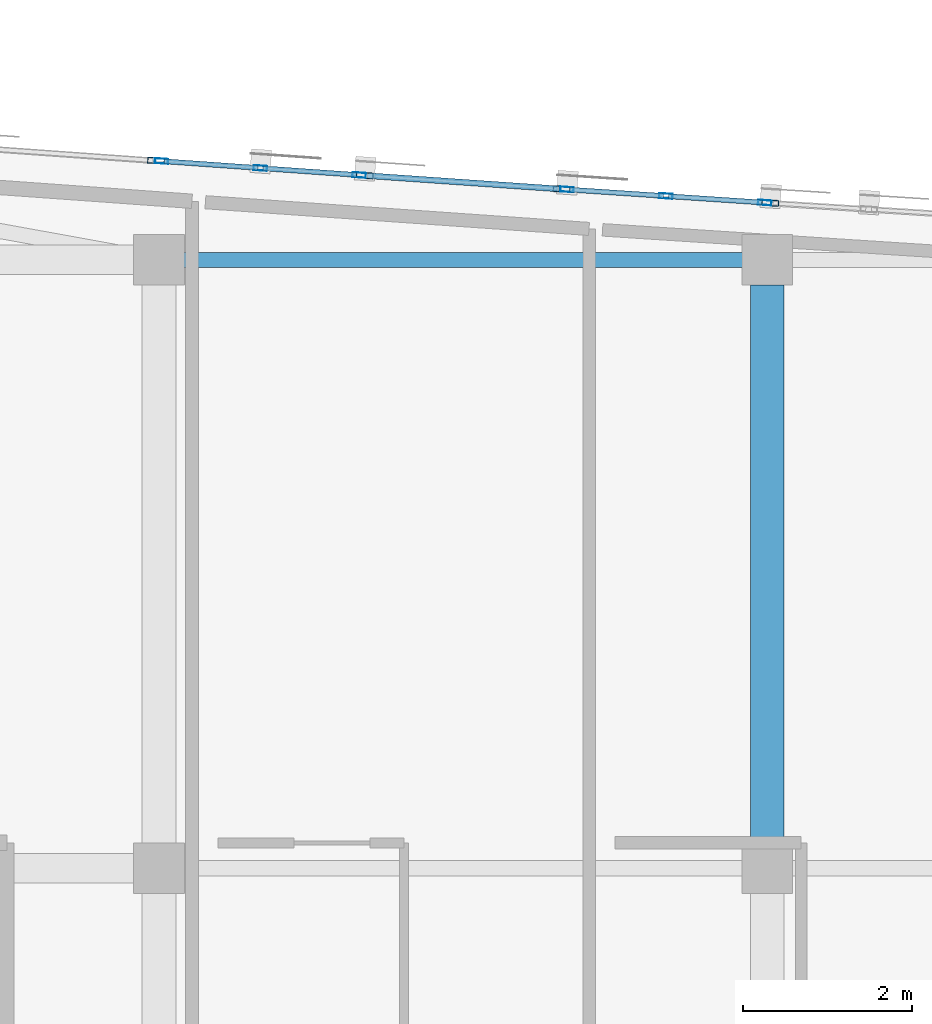
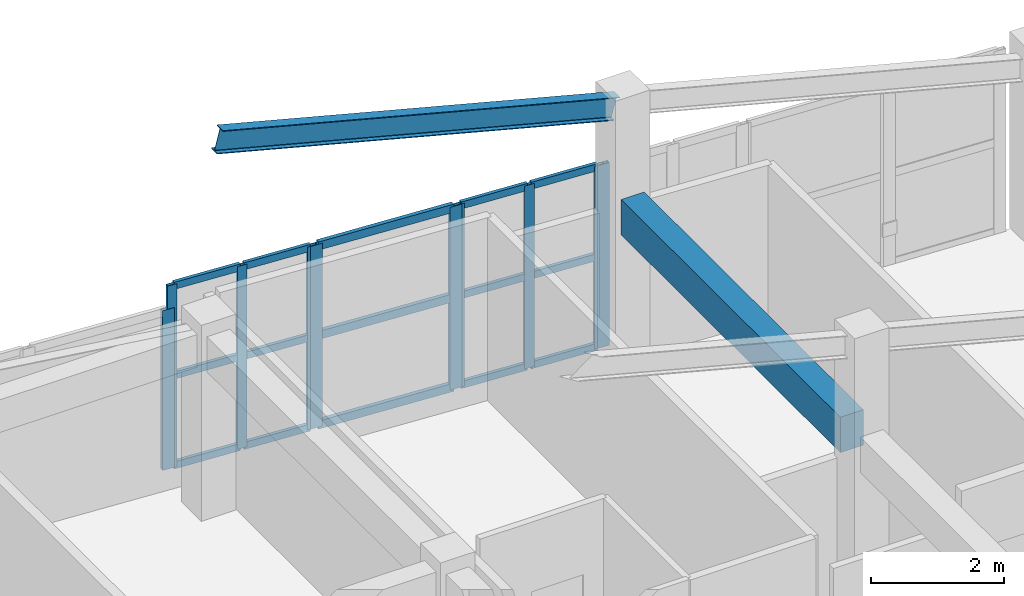
# One storey, part 26 of 45: 25 members, 2 beams, 5 elements without a shape of their own.
"""IFC4 building model written with IfcOpenShell, lengths in metres."""

from ifc_helpers import new_model, si_unit, direction, frame, origin, origin_2d, place, context, subcontext, project, spatial, rectangle, hollow_rectangle, i_section, extrude, material, layer, layer_set, material_profile, profile_set, type_object, element, aggregate, save


model = new_model("IFC4")

# Units and contexts
model_context = context("Model", 3, precision=1e-05, world=origin(), true_north=direction((0.0, 1.0)))
body_context = subcontext(model_context, "Body", "Model", "MODEL_VIEW")
ifc_project = project(units=[si_unit("LENGTHUNIT", "METRE"), si_unit("AREAUNIT", "SQUARE_METRE"), si_unit("VOLUMEUNIT", "CUBIC_METRE"), si_unit("PLANEANGLEUNIT", "RADIAN"), si_unit("MASSUNIT", "GRAM", prefix="KILO")], contexts=[model_context])

# Site, building, storey
site_placement = place(None, origin())
site = spatial("IfcSite", under=ifc_project, at=site_placement, CompositionType="ELEMENT")
building_placement = place(site_placement, origin())
building = spatial("IfcBuilding", under=site, at=building_placement, Name="Carrowvane Square Congress Hotel", CompositionType="ELEMENT")
storey_placement = place(building_placement, frame((0.0, 0.0, 33.60009765625)))
storey = spatial("IfcBuildingStorey", under=building, at=storey_placement, Name="L08", CompositionType="ELEMENT", Elevation=33.60009765625)

# Beams
ifc_material_1 = material(Name="Concrete C35/45", Category="concrete")
ifc_material_profile_1 = material_profile(ifc_material_1, rectangle(XDim=0.39990234375, YDim=0.64990234375, at=origin_2d()), Name="RC 400x650")
ifc_profile_set_1 = profile_set([ifc_material_profile_1], Name="Concrete C35/45")
beam_type_1 = type_object("IfcBeamType", Name="BM-RC-400x650", PredefinedType="BEAM", material=ifc_profile_set_1)
beam_1_placement = place(storey_placement, frame((148.39990234375, 106.5, 3.034912109375), z_axis=(0.0, 1.0, 0.0), x_axis=(-1.0, 0.0, 0.0)))
element("IfcBeam", 1, at=beam_1_placement, inside=storey, type_object=beam_type_1, Name="L09 girder 20/Q-R", PredefinedType="BEAM", context=body_context, shape_type="SweptSolid", body=[
    extrude(rectangle(XDim=0.39990234375, YDim=0.64990234375, at=origin_2d()), origin(), (0.0, 0.0, 1.0), 6.60009765625),
])
ifc_material_2 = material(Name="Steel S355", Category="steel")
ifc_material_profile_2 = material_profile(ifc_material_2, i_section(OverallWidth=0.1787109375, OverallDepth=0.409423828125, WebThickness=0.0087890625, FlangeThickness=0.014404296875, FilletRadius=0.01025390625, at=origin_2d()), Name="UKB 406x178x67")
ifc_profile_set_2 = profile_set([ifc_material_profile_2], Name="Steel S355")
beam_type_2 = type_object("IfcBeamType", Name="BM-ST-UKB406", PredefinedType="BEAM", material=ifc_profile_set_2)
beam_2_placement = place(storey_placement, frame((141.35009765625, 113.39990234375, 6.679931640625), z_axis=(0.967614727274, 0.0, -0.252431653251), x_axis=(0.0, 1.0, 0.0)))
element("IfcBeam", 2, at=beam_2_placement, inside=storey, type_object=beam_type_2, Name="L08 shallow-arc roof rafter 28", PredefinedType="BEAM", context=body_context, shape_type="SweptSolid", body=[
    extrude(i_section(OverallWidth=0.1787109375, OverallDepth=0.409423828125, WebThickness=0.0087890625, FlangeThickness=0.014404296875, FilletRadius=0.01025390625, at=origin_2d()), origin(), (0.0, 0.0, 1.0), 7.130859375),
])

# Curtain wall, members
ifc_material_3 = material(Name="Anodised aluminium", Category="aluminium")
ifc_layer_1 = layer(ifc_material_3, 0.2099609375)
ifc_layer_set_1 = layer_set([ifc_layer_1], Name="Anodised aluminium")
curtain_wall_type_1 = type_object("IfcCurtainWallType", Name="CW-SYS-5", PredefinedType="NOTDEFINED", material=ifc_layer_set_1)
curtain_wall_1_placement = place(storey_placement, origin())
curtain_wall_1 = element("IfcCurtainWall", 3, at=curtain_wall_1_placement, inside=storey, type_object=curtain_wall_type_1, Name="L08 unitised curtain wall 500", PredefinedType="NOTDEFINED")
ifc_material_4 = material(Name="Anodised aluminium", Category="aluminium")
ifc_material_profile_3 = material_profile(ifc_material_4, hollow_rectangle(XDim=0.06005859375, YDim=0.159912109375, WallThickness=0.00390625, at=origin_2d()), Name="CW-ML 60x160x4")
ifc_profile_set_3 = profile_set([ifc_material_profile_3], Name="Anodised aluminium")
member_type_1 = type_object("IfcMemberType", Name="CW-MUL-1", PredefinedType="MULLION", material=ifc_profile_set_3)
member_1_placement = place(storey_placement, frame((141.22998046875, 114.569091796875, 0.0), z_axis=(0.0, 0.0, 1.0), x_axis=(0.070585996942, 0.997505697746, 0.0)))
member_1 = element("IfcMember", 4, at=member_1_placement, type_object=member_type_1, Name="CW-5 mullion 1", PredefinedType="MULLION", context=body_context, shape_type="SweptSolid", body=[
    extrude(hollow_rectangle(XDim=0.06005859375, YDim=0.159912109375, WallThickness=0.00390625, at=origin_2d()), origin(), (0.0, 0.0, 1.0), 3.35986328125),
])
member_2_placement = place(storey_placement, frame((142.39990234375, 114.486328125, 0.0), z_axis=(0.0, 0.0, 1.0), x_axis=(0.070585996942, 0.997505697746, 0.0)))
member_2 = element("IfcMember", 5, at=member_2_placement, type_object=member_type_1, Name="CW-5 mullion 2", PredefinedType="MULLION", context=body_context, shape_type="SweptSolid", body=[
    extrude(hollow_rectangle(XDim=0.06005859375, YDim=0.159912109375, WallThickness=0.00390625, at=origin_2d()), origin(), (0.0, 0.0, 1.0), 3.35986328125),
])
member_3_placement = place(storey_placement, frame((143.570068359375, 114.403564453125, 0.0), z_axis=(0.0, 0.0, 1.0), x_axis=(0.070585996942, 0.997505697746, 0.0)))
member_3 = element("IfcMember", 6, at=member_3_placement, type_object=member_type_1, Name="CW-5 mullion 3", PredefinedType="MULLION", context=body_context, shape_type="SweptSolid", body=[
    extrude(hollow_rectangle(XDim=0.06005859375, YDim=0.159912109375, WallThickness=0.00390625, at=origin_2d()), origin(), (0.0, 0.0, 1.0), 3.35986328125),
])

ifc_material_5 = material(Name="Anodised aluminium", Category="aluminium")
ifc_layer_2 = layer(ifc_material_5, 0.23388671875)
ifc_layer_set_2 = layer_set([ifc_layer_2], Name="Anodised aluminium")
curtain_wall_type_2 = type_object("IfcCurtainWallType", Name="CW-SYS-7", PredefinedType="NOTDEFINED", material=ifc_layer_set_2)
curtain_wall_2_placement = place(storey_placement, origin())
curtain_wall_2 = element("IfcCurtainWall", 7, at=curtain_wall_2_placement, inside=storey, type_object=curtain_wall_type_2, Name="L08 unitised curtain wall 502", PredefinedType="NOTDEFINED")
member_4_placement = place(storey_placement, frame((146.030029296875, 114.2333984375, 0.0), z_axis=(0.0, 0.0, 1.0), x_axis=(0.06657392244, 0.997781495544, 0.0)))
member_4 = element("IfcMember", 8, at=member_4_placement, type_object=member_type_1, Name="CW-7 mullion 1", PredefinedType="MULLION", context=body_context, shape_type="SweptSolid", body=[
    extrude(hollow_rectangle(XDim=0.06005859375, YDim=0.159912109375, WallThickness=0.00390625, at=origin_2d()), origin(), (0.0, 0.0, 1.0), 3.35986328125),
])
member_5_placement = place(storey_placement, frame((147.199951171875, 114.155517578125, 0.0), z_axis=(0.0, 0.0, 1.0), x_axis=(0.06657392244, 0.997781495544, 0.0)))
member_5 = element("IfcMember", 9, at=member_5_placement, type_object=member_type_1, Name="CW-7 mullion 2", PredefinedType="MULLION", context=body_context, shape_type="SweptSolid", body=[
    extrude(hollow_rectangle(XDim=0.06005859375, YDim=0.159912109375, WallThickness=0.00390625, at=origin_2d()), origin(), (0.0, 0.0, 1.0), 3.35986328125),
])
member_6_placement = place(storey_placement, frame((148.3701171875, 114.077392578125, 0.0), z_axis=(0.0, 0.0, 1.0), x_axis=(0.06657392244, 0.997781495544, 0.0)))
member_6 = element("IfcMember", 10, at=member_6_placement, type_object=member_type_1, Name="CW-7 mullion 3", PredefinedType="MULLION", context=body_context, shape_type="SweptSolid", body=[
    extrude(hollow_rectangle(XDim=0.06005859375, YDim=0.159912109375, WallThickness=0.00390625, at=origin_2d()), origin(), (0.0, 0.0, 1.0), 3.35986328125),
])

# Curtain wall, member
ifc_material_6 = material(Name="Anodised aluminium", Category="aluminium")
ifc_layer_3 = layer(ifc_material_6, 0.197998046875)
ifc_layer_set_3 = layer_set([ifc_layer_3], Name="Anodised aluminium")
curtain_wall_type_3 = type_object("IfcCurtainWallType", Name="CW-SYS-4", PredefinedType="NOTDEFINED", material=ifc_layer_set_3)
curtain_wall_3_placement = place(storey_placement, origin())
curtain_wall_3 = element("IfcCurtainWall", 11, at=curtain_wall_3_placement, inside=storey, type_object=curtain_wall_type_3, Name="L08 unitised curtain wall 499", PredefinedType="NOTDEFINED")
ifc_material_7 = material(Name="Anodised aluminium", Category="aluminium")
ifc_material_profile_4 = material_profile(ifc_material_7, hollow_rectangle(XDim=0.070068359375, YDim=0.199951171875, WallThickness=0.0048828125, at=origin_2d()), Name="CW-ML 70x200x5")
ifc_profile_set_4 = profile_set([ifc_material_profile_4], Name="Anodised aluminium")
member_type_2 = type_object("IfcMemberType", Name="CW-MUL-2", PredefinedType="MULLION", material=ifc_profile_set_4)
member_7_placement = place(storey_placement, frame((141.1650390625, 114.57373046875, 0.0), z_axis=(0.0, 0.0, 1.0), x_axis=(0.071422490945, 0.997446152826, 0.0)))
member_7 = element("IfcMember", 12, at=member_7_placement, type_object=member_type_2, Name="CW-4 mullion 2", PredefinedType="MULLION", context=body_context, shape_type="SweptSolid", body=[
    extrude(hollow_rectangle(XDim=0.070068359375, YDim=0.199951171875, WallThickness=0.0048828125, at=origin_2d()), origin(), (0.0, 0.0, 1.0), 2.935546875),
])
aggregate(curtain_wall_3, [member_7])

# Curtain wall, members
ifc_material_8 = material(Name="Anodised aluminium", Category="aluminium")
ifc_layer_4 = layer(ifc_material_8, 0.221923828125)
ifc_layer_set_4 = layer_set([ifc_layer_4], Name="Anodised aluminium")
curtain_wall_type_4 = type_object("IfcCurtainWallType", Name="CW-SYS-6", PredefinedType="NOTDEFINED", material=ifc_layer_set_4)
curtain_wall_4_placement = place(storey_placement, origin())
curtain_wall_4 = element("IfcCurtainWall", 13, at=curtain_wall_4_placement, inside=storey, type_object=curtain_wall_type_4, Name="L08 unitised curtain wall 501", PredefinedType="NOTDEFINED")
member_8_placement = place(storey_placement, frame((143.635009765625, 114.39892578125, 0.0), z_axis=(0.0, 0.0, 1.0), x_axis=(0.068986120725, 0.997617619706, 0.0)))
member_8 = element("IfcMember", 14, at=member_8_placement, type_object=member_type_2, Name="CW-6 mullion 1", PredefinedType="MULLION", context=body_context, shape_type="SweptSolid", body=[
    extrude(hollow_rectangle(XDim=0.070068359375, YDim=0.199951171875, WallThickness=0.0048828125, at=origin_2d()), origin(), (0.0, 0.0, 1.0), 3.35986328125),
])
member_9_placement = place(storey_placement, frame((145.965087890625, 114.23779296875, 0.0), z_axis=(0.0, 0.0, 1.0), x_axis=(0.068986120725, 0.997617619706, 0.0)))
member_9 = element("IfcMember", 15, at=member_9_placement, type_object=member_type_2, Name="CW-6 mullion 2", PredefinedType="MULLION", context=body_context, shape_type="SweptSolid", body=[
    extrude(hollow_rectangle(XDim=0.070068359375, YDim=0.199951171875, WallThickness=0.0048828125, at=origin_2d()), origin(), (0.0, 0.0, 1.0), 3.35986328125),
])

# Curtain wall, member
ifc_material_9 = material(Name="Anodised aluminium", Category="aluminium")
ifc_layer_5 = layer(ifc_material_9, 0.24609375)
ifc_layer_set_5 = layer_set([ifc_layer_5], Name="Anodised aluminium")
curtain_wall_type_5 = type_object("IfcCurtainWallType", Name="CW-SYS-8", PredefinedType="NOTDEFINED", material=ifc_layer_set_5)
curtain_wall_5_placement = place(storey_placement, origin())
curtain_wall_5 = element("IfcCurtainWall", 16, at=curtain_wall_5_placement, inside=storey, type_object=curtain_wall_type_5, Name="L08 unitised curtain wall 503", PredefinedType="NOTDEFINED")
member_10_placement = place(storey_placement, frame((148.434814453125, 114.0732421875, 0.0), z_axis=(0.0, 0.0, 1.0), x_axis=(0.063273487972, 0.997996225303, 0.0)))
member_10 = element("IfcMember", 17, at=member_10_placement, type_object=member_type_2, Name="CW-8 mullion 1", PredefinedType="MULLION", context=body_context, shape_type="SweptSolid", body=[
    extrude(hollow_rectangle(XDim=0.070068359375, YDim=0.199951171875, WallThickness=0.0048828125, at=origin_2d()), origin(), (0.0, 0.0, 1.0), 3.35986328125),
])
aggregate(curtain_wall_5, [member_10])

# Member
ifc_material_10 = material(Name="Anodised aluminium", Category="aluminium")
ifc_material_profile_5 = material_profile(ifc_material_10, hollow_rectangle(XDim=0.06005859375, YDim=0.1298828125, WallThickness=0.00390625, at=origin_2d()), Name="CW-TR 60x130x4")
ifc_profile_set_5 = profile_set([ifc_material_profile_5], Name="Anodised aluminium")
member_type_3 = type_object("IfcMemberType", Name="CW-TRN-1", PredefinedType="USERDEFINED", material=ifc_profile_set_5)
member_11_placement = place(storey_placement, frame((141.259765625, 114.567138671875, 0.02978515625), z_axis=(0.997503038551, -0.070623566054, 0.0), x_axis=(0.070623566054, 0.997503038551, 0.0)))
member_11 = element("IfcMember", 18, at=member_11_placement, type_object=member_type_3, Name="CW-5 transom 1.1", ObjectType="TRANSOM", PredefinedType="USERDEFINED", context=body_context, shape_type="SweptSolid", body=[
    extrude(hollow_rectangle(XDim=0.06005859375, YDim=0.1298828125, WallThickness=0.00390625, at=origin_2d()), origin(), (0.0, 0.0, 1.0), 1.113037109375),
])

member_12_placement = place(storey_placement, frame((141.259765625, 114.567138671875, 1.679931640625), z_axis=(0.997503038551, -0.070623566054, 0.0), x_axis=(0.070623566054, 0.997503038551, 0.0)))
member_12 = element("IfcMember", 19, at=member_12_placement, type_object=member_type_3, Name="CW-5 transom 1.2", ObjectType="TRANSOM", PredefinedType="USERDEFINED", context=body_context, shape_type="SweptSolid", body=[
    extrude(hollow_rectangle(XDim=0.06005859375, YDim=0.1298828125, WallThickness=0.00390625, at=origin_2d()), origin(), (0.0, 0.0, 1.0), 1.113037109375),
])

member_13_placement = place(storey_placement, frame((141.259765625, 114.567138671875, 3.329833984375), z_axis=(0.997503038551, -0.070623566054, 0.0), x_axis=(0.070623566054, 0.997503038551, 0.0)))
member_13 = element("IfcMember", 20, at=member_13_placement, type_object=member_type_3, Name="CW-5 transom 1.3", ObjectType="TRANSOM", PredefinedType="USERDEFINED", context=body_context, shape_type="SweptSolid", body=[
    extrude(hollow_rectangle(XDim=0.06005859375, YDim=0.1298828125, WallThickness=0.00390625, at=origin_2d()), origin(), (0.0, 0.0, 1.0), 1.113037109375),
])

member_14_placement = place(storey_placement, frame((142.429931640625, 114.484130859375, 0.02978515625), z_axis=(0.997517378391, -0.070420734212, 0.0), x_axis=(0.070420734212, 0.997517378391, 0.0)))
member_14 = element("IfcMember", 21, at=member_14_placement, type_object=member_type_3, Name="CW-5 transom 2.1", ObjectType="TRANSOM", PredefinedType="USERDEFINED", context=body_context, shape_type="SweptSolid", body=[
    extrude(hollow_rectangle(XDim=0.06005859375, YDim=0.1298828125, WallThickness=0.00390625, at=origin_2d()), origin(), (0.0, 0.0, 1.0), 1.11279296875),
])

member_15_placement = place(storey_placement, frame((142.429931640625, 114.484130859375, 1.679931640625), z_axis=(0.997517378391, -0.070420734212, 0.0), x_axis=(0.070420734212, 0.997517378391, 0.0)))
member_15 = element("IfcMember", 22, at=member_15_placement, type_object=member_type_3, Name="CW-5 transom 2.2", ObjectType="TRANSOM", PredefinedType="USERDEFINED", context=body_context, shape_type="SweptSolid", body=[
    extrude(hollow_rectangle(XDim=0.06005859375, YDim=0.1298828125, WallThickness=0.00390625, at=origin_2d()), origin(), (0.0, 0.0, 1.0), 1.11279296875),
])

member_16_placement = place(storey_placement, frame((142.429931640625, 114.484130859375, 3.329833984375), z_axis=(0.997517378391, -0.070420734212, 0.0), x_axis=(0.070420734212, 0.997517378391, 0.0)))
member_16 = element("IfcMember", 23, at=member_16_placement, type_object=member_type_3, Name="CW-5 transom 2.3", ObjectType="TRANSOM", PredefinedType="USERDEFINED", context=body_context, shape_type="SweptSolid", body=[
    extrude(hollow_rectangle(XDim=0.06005859375, YDim=0.1298828125, WallThickness=0.00390625, at=origin_2d()), origin(), (0.0, 0.0, 1.0), 1.11279296875),
])

aggregate(curtain_wall_1, [member_1, member_2, member_3, member_11, member_12, member_13, member_14, member_15, member_16])

member_17_placement = place(storey_placement, frame((146.059814453125, 114.2314453125, 0.02978515625), z_axis=(0.997788069164, -0.066475326508, 0.0), x_axis=(0.066475326508, 0.997788069164, 0.0)))
member_17 = element("IfcMember", 24, at=member_17_placement, type_object=member_type_3, Name="CW-7 transom 1.1", ObjectType="TRANSOM", PredefinedType="USERDEFINED", context=body_context, shape_type="SweptSolid", body=[
    extrude(hollow_rectangle(XDim=0.06005859375, YDim=0.1298828125, WallThickness=0.00390625, at=origin_2d()), origin(), (0.0, 0.0, 1.0), 1.11279296875),
])

member_18_placement = place(storey_placement, frame((146.059814453125, 114.2314453125, 1.679931640625), z_axis=(0.997788069164, -0.066475326508, 0.0), x_axis=(0.066475326508, 0.997788069164, 0.0)))
member_18 = element("IfcMember", 25, at=member_18_placement, type_object=member_type_3, Name="CW-7 transom 1.2", ObjectType="TRANSOM", PredefinedType="USERDEFINED", context=body_context, shape_type="SweptSolid", body=[
    extrude(hollow_rectangle(XDim=0.06005859375, YDim=0.1298828125, WallThickness=0.00390625, at=origin_2d()), origin(), (0.0, 0.0, 1.0), 1.11279296875),
])

member_19_placement = place(storey_placement, frame((146.059814453125, 114.2314453125, 3.329833984375), z_axis=(0.997788069164, -0.066475326508, 0.0), x_axis=(0.066475326508, 0.997788069164, 0.0)))
member_19 = element("IfcMember", 26, at=member_19_placement, type_object=member_type_3, Name="CW-7 transom 1.3", ObjectType="TRANSOM", PredefinedType="USERDEFINED", context=body_context, shape_type="SweptSolid", body=[
    extrude(hollow_rectangle(XDim=0.06005859375, YDim=0.1298828125, WallThickness=0.00390625, at=origin_2d()), origin(), (0.0, 0.0, 1.0), 1.11279296875),
])

member_20_placement = place(storey_placement, frame((147.22998046875, 114.1533203125, 0.02978515625), z_axis=(0.997787099366, -0.066489881484, 0.0), x_axis=(0.066489881484, 0.997787099366, 0.0)))
member_20 = element("IfcMember", 27, at=member_20_placement, type_object=member_type_3, Name="CW-7 transom 2.1", ObjectType="TRANSOM", PredefinedType="USERDEFINED", context=body_context, shape_type="SweptSolid", body=[
    extrude(hollow_rectangle(XDim=0.06005859375, YDim=0.1298828125, WallThickness=0.00390625, at=origin_2d()), origin(), (0.0, 0.0, 1.0), 1.112548828125),
])

member_21_placement = place(storey_placement, frame((147.22998046875, 114.1533203125, 1.679931640625), z_axis=(0.997787099366, -0.066489881484, 0.0), x_axis=(0.066489881484, 0.997787099366, 0.0)))
member_21 = element("IfcMember", 28, at=member_21_placement, type_object=member_type_3, Name="CW-7 transom 2.2", ObjectType="TRANSOM", PredefinedType="USERDEFINED", context=body_context, shape_type="SweptSolid", body=[
    extrude(hollow_rectangle(XDim=0.06005859375, YDim=0.1298828125, WallThickness=0.00390625, at=origin_2d()), origin(), (0.0, 0.0, 1.0), 1.112548828125),
])

member_22_placement = place(storey_placement, frame((147.22998046875, 114.1533203125, 3.329833984375), z_axis=(0.997787099366, -0.066489881484, 0.0), x_axis=(0.066489881484, 0.997787099366, 0.0)))
member_22 = element("IfcMember", 29, at=member_22_placement, type_object=member_type_3, Name="CW-7 transom 2.3", ObjectType="TRANSOM", PredefinedType="USERDEFINED", context=body_context, shape_type="SweptSolid", body=[
    extrude(hollow_rectangle(XDim=0.06005859375, YDim=0.1298828125, WallThickness=0.00390625, at=origin_2d()), origin(), (0.0, 0.0, 1.0), 1.112548828125),
])

aggregate(curtain_wall_2, [member_4, member_5, member_6, member_17, member_18, member_19, member_20, member_21, member_22])

ifc_material_11 = material(Name="Anodised aluminium", Category="aluminium")
ifc_material_profile_6 = material_profile(ifc_material_11, hollow_rectangle(XDim=0.070068359375, YDim=0.14990234375, WallThickness=0.0048828125, at=origin_2d()), Name="CW-TR 70x150x5")
ifc_profile_set_6 = profile_set([ifc_material_profile_6], Name="Anodised aluminium")
member_type_4 = type_object("IfcMemberType", Name="CW-TRN-2", PredefinedType="USERDEFINED", material=ifc_profile_set_6)
member_23_placement = place(storey_placement, frame((143.669921875, 114.396728515625, 0.034912109375), z_axis=(0.997611673576, -0.069072054738, 0.0), x_axis=(0.069072054738, 0.997611673576, 0.0)))
member_23 = element("IfcMember", 30, at=member_23_placement, type_object=member_type_4, Name="CW-6 transom 1.1", ObjectType="TRANSOM", PredefinedType="USERDEFINED", context=body_context, shape_type="SweptSolid", body=[
    extrude(hollow_rectangle(XDim=0.070068359375, YDim=0.14990234375, WallThickness=0.0048828125, at=origin_2d()), origin(), (0.0, 0.0, 1.0), 2.265625),
])

member_24_placement = place(storey_placement, frame((143.669921875, 114.396728515625, 1.679931640625), z_axis=(0.997611673576, -0.069072054738, 0.0), x_axis=(0.069072054738, 0.997611673576, 0.0)))
member_24 = element("IfcMember", 31, at=member_24_placement, type_object=member_type_4, Name="CW-6 transom 1.2", ObjectType="TRANSOM", PredefinedType="USERDEFINED", context=body_context, shape_type="SweptSolid", body=[
    extrude(hollow_rectangle(XDim=0.070068359375, YDim=0.14990234375, WallThickness=0.0048828125, at=origin_2d()), origin(), (0.0, 0.0, 1.0), 2.265625),
])

member_25_placement = place(storey_placement, frame((143.669921875, 114.396728515625, 3.324951171875), z_axis=(0.997611673576, -0.069072054738, 0.0), x_axis=(0.069072054738, 0.997611673576, 0.0)))
member_25 = element("IfcMember", 32, at=member_25_placement, type_object=member_type_4, Name="CW-6 transom 1.3", ObjectType="TRANSOM", PredefinedType="USERDEFINED", context=body_context, shape_type="SweptSolid", body=[
    extrude(hollow_rectangle(XDim=0.070068359375, YDim=0.14990234375, WallThickness=0.0048828125, at=origin_2d()), origin(), (0.0, 0.0, 1.0), 2.265625),
])

aggregate(curtain_wall_4, [member_8, member_9, member_23, member_24, member_25])

save(model, "model.ifc")
